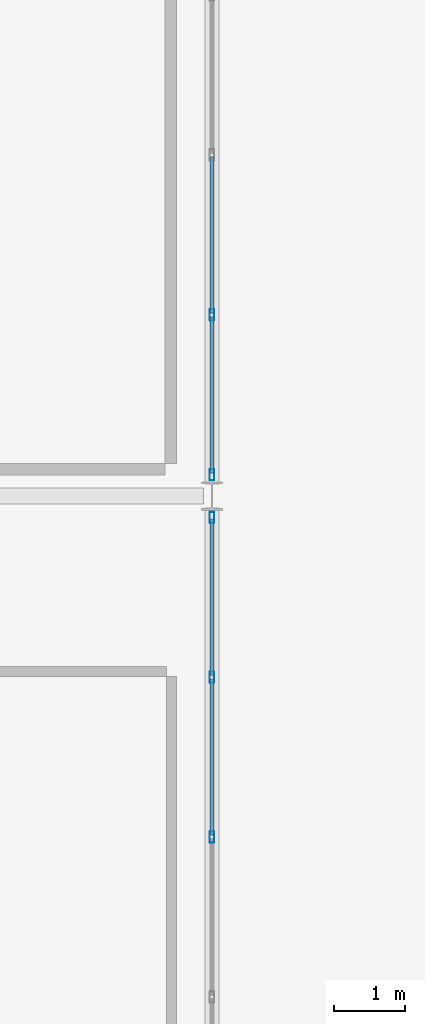
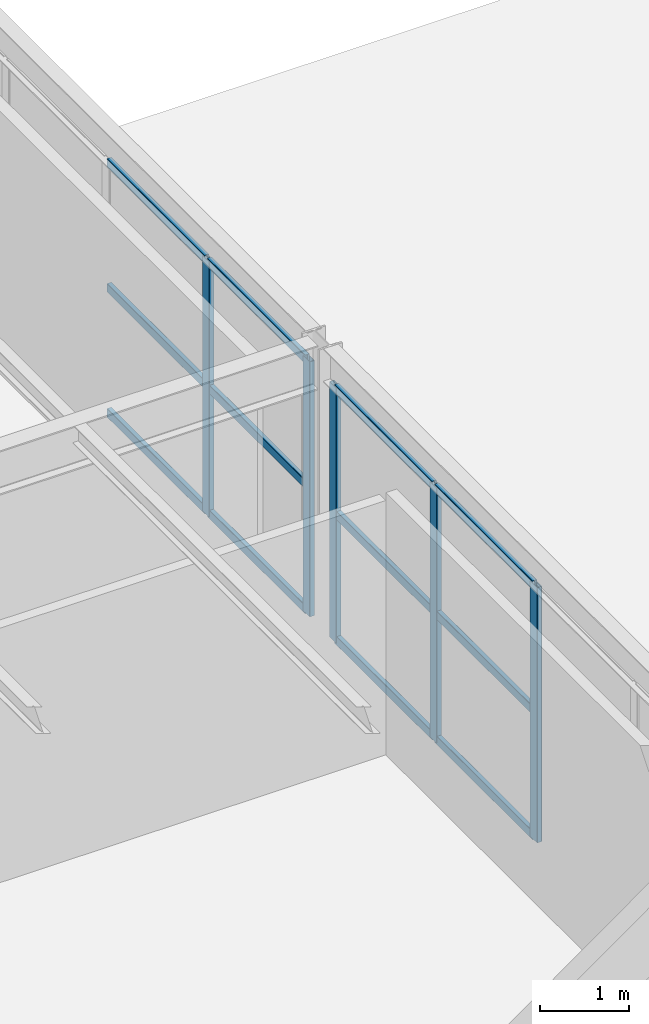
# One storey, part 91 of 126: 17 members, 2 elements without a shape of their own.
"""IFC4 building model written with IfcOpenShell, lengths in metres."""

from ifc_helpers import new_model, si_unit, direction, frame, origin, origin_2d, place, context, subcontext, project, spatial, hollow_rectangle, extrude, material, material_profile, profile_set, type_object, element, aggregate, save


model = new_model("IFC4")

# Units and contexts
model_context = context("Model", 3, precision=1e-05, world=origin(), true_north=direction((0.0, 1.0)))
body_context = subcontext(model_context, "Body", "Model", "MODEL_VIEW")
ifc_project = project(units=[si_unit("LENGTHUNIT", "METRE"), si_unit("AREAUNIT", "SQUARE_METRE"), si_unit("VOLUMEUNIT", "CUBIC_METRE"), si_unit("PLANEANGLEUNIT", "RADIAN"), si_unit("MASSUNIT", "GRAM", prefix="KILO")], contexts=[model_context])

# Site, building, storey
site_placement = place(None, origin())
site = spatial("IfcSite", under=ifc_project, at=site_placement, CompositionType="ELEMENT")
building_placement = place(site_placement, origin())
building = spatial("IfcBuilding", under=site, at=building_placement, Name="Coralgate Yard Interchange", CompositionType="ELEMENT")
storey_placement = place(building_placement, frame((0.0, 0.0, 10.5)))
storey = spatial("IfcBuildingStorey", under=building, at=storey_placement, Name="L02", CompositionType="ELEMENT", Elevation=10.5)

# Curtain wall, members
ifc_material_1 = material(Name="Anodised coastal aluminium and solar-control low-E glass", Category="aluminium")
curtain_wall_type = type_object("IfcCurtainWallType", Name="CW-CW-L02-A", PredefinedType="NOTDEFINED", material=ifc_material_1)
curtain_wall_1_placement = place(storey_placement, origin())
curtain_wall_1 = element("IfcCurtainWall", 1, at=curtain_wall_1_placement, inside=storey, type_object=curtain_wall_type, Name="L02 unitised curtain wall CW-L02-E-09-08", PredefinedType="NOTDEFINED")
ifc_material_2 = material(Name="Anodised coastal aluminium 6063-T6", Category="aluminium")
ifc_material_profile_1 = material_profile(ifc_material_2, hollow_rectangle(XDim=0.06494140625, YDim=0.159912109375, WallThickness=0.00390625, InnerFilletRadius=0.00390625, OuterFilletRadius=0.008056640625, at=origin_2d()), Name="ALU 65x160x4")
ifc_profile_set_1 = profile_set([ifc_material_profile_1], Name="Anodised coastal aluminium 6063-T6")
member_type_1 = type_object("IfcMemberType", Name="MB-MUL-160", PredefinedType="MULLION", material=ifc_profile_set_1)
member_1_placement = place(storey_placement, frame((96.0, 86.10009765625, 0.0), z_axis=(0.0, 0.0, 1.0), x_axis=(1.0, 0.0, 0.0)))
member_1 = element("IfcMember", 2, at=member_1_placement, type_object=member_type_1, Name="CW-L02-E-09-08 vertical mullion 1", PredefinedType="MULLION", context=body_context, shape_type="SweptSolid", body=[
    extrude(hollow_rectangle(XDim=0.06494140625, YDim=0.159912109375, WallThickness=0.00390625, InnerFilletRadius=0.00390625, OuterFilletRadius=0.008056640625, at=origin_2d()), origin(), (0.0, 0.0, 1.0), 3.492919921875),
])
member_2_placement = place(storey_placement, frame((96.0, 83.85009765625, 0.0), z_axis=(0.0, 0.0, 1.0), x_axis=(1.0, 0.0, 0.0)))
member_2 = element("IfcMember", 3, at=member_2_placement, type_object=member_type_1, Name="CW-L02-E-09-08 vertical mullion 2", PredefinedType="MULLION", context=body_context, shape_type="SweptSolid", body=[
    extrude(hollow_rectangle(XDim=0.06494140625, YDim=0.159912109375, WallThickness=0.00390625, InnerFilletRadius=0.00390625, OuterFilletRadius=0.008056640625, at=origin_2d()), origin(), (0.0, 0.0, 1.0), 3.492919921875),
])
member_3_placement = place(storey_placement, frame((96.0, 81.60009765625, 0.0), z_axis=(0.0, 0.0, 1.0), x_axis=(1.0, 0.0, 0.0)))
member_3 = element("IfcMember", 4, at=member_3_placement, type_object=member_type_1, Name="CW-L02-E-09-08 vertical mullion 3", PredefinedType="MULLION", context=body_context, shape_type="SweptSolid", body=[
    extrude(hollow_rectangle(XDim=0.06494140625, YDim=0.159912109375, WallThickness=0.00390625, InnerFilletRadius=0.00390625, OuterFilletRadius=0.008056640625, at=origin_2d()), origin(), (0.0, 0.0, 1.0), 3.492919921875),
])

curtain_wall_2_placement = place(storey_placement, origin())
curtain_wall_2 = element("IfcCurtainWall", 5, at=curtain_wall_2_placement, inside=storey, type_object=curtain_wall_type, Name="L02 unitised curtain wall CW-L02-E-09-09", PredefinedType="NOTDEFINED")
member_4_placement = place(storey_placement, frame((96.0, 88.949951171875, 0.0), z_axis=(0.0, 0.0, 1.0), x_axis=(1.0, 0.0, 0.0)))
member_4 = element("IfcMember", 6, at=member_4_placement, type_object=member_type_1, Name="CW-L02-E-09-09 vertical mullion 4", PredefinedType="MULLION", context=body_context, shape_type="SweptSolid", body=[
    extrude(hollow_rectangle(XDim=0.06494140625, YDim=0.159912109375, WallThickness=0.00390625, InnerFilletRadius=0.00390625, OuterFilletRadius=0.008056640625, at=origin_2d()), origin(), (0.0, 0.0, 1.0), 3.492919921875),
])
member_5_placement = place(storey_placement, frame((96.0, 86.699951171875, 0.0), z_axis=(0.0, 0.0, 1.0), x_axis=(1.0, 0.0, 0.0)))
member_5 = element("IfcMember", 7, at=member_5_placement, type_object=member_type_1, Name="CW-L02-E-09-09 vertical mullion 5", PredefinedType="MULLION", context=body_context, shape_type="SweptSolid", body=[
    extrude(hollow_rectangle(XDim=0.06494140625, YDim=0.159912109375, WallThickness=0.00390625, InnerFilletRadius=0.00390625, OuterFilletRadius=0.008056640625, at=origin_2d()), origin(), (0.0, 0.0, 1.0), 3.492919921875),
])

# Member
ifc_material_profile_2 = material_profile(ifc_material_2, hollow_rectangle(XDim=0.06005859375, YDim=0.1201171875, WallThickness=0.00341796875, InnerFilletRadius=0.00341796875, OuterFilletRadius=0.007080078125, at=origin_2d()), Name="ALU 60x120x3.5")
ifc_profile_set_2 = profile_set([ifc_material_profile_2], Name="Anodised coastal aluminium 6063-T6")
member_type_2 = type_object("IfcMemberType", Name="MB-TRN-120", PredefinedType="USERDEFINED", material=ifc_profile_set_2)
member_6_placement = place(storey_placement, frame((96.0, 86.070068359375, 0.034912109375), z_axis=(0.0, -1.0, 0.0), x_axis=(1.0, 0.0, 0.0)))
member_6 = element("IfcMember", 8, at=member_6_placement, type_object=member_type_2, Name="CW-L02-E-09-08 horizontal transom 1-1", ObjectType="TRANSOM", PredefinedType="USERDEFINED", context=body_context, shape_type="SweptSolid", body=[
    extrude(hollow_rectangle(XDim=0.06005859375, YDim=0.1201171875, WallThickness=0.00341796875, InnerFilletRadius=0.00341796875, OuterFilletRadius=0.007080078125, at=origin_2d()), origin(), (0.0, 0.0, 1.0), 2.190185546875),
])

member_7_placement = place(storey_placement, frame((96.0, 86.070068359375, 1.74658203125), z_axis=(0.0, -1.0, 0.0), x_axis=(1.0, 0.0, 0.0)))
member_7 = element("IfcMember", 9, at=member_7_placement, type_object=member_type_2, Name="CW-L02-E-09-08 horizontal transom 1-2", ObjectType="TRANSOM", PredefinedType="USERDEFINED", context=body_context, shape_type="SweptSolid", body=[
    extrude(hollow_rectangle(XDim=0.06005859375, YDim=0.1201171875, WallThickness=0.00341796875, InnerFilletRadius=0.00341796875, OuterFilletRadius=0.007080078125, at=origin_2d()), origin(), (0.0, 0.0, 1.0), 2.190185546875),
])

member_8_placement = place(storey_placement, frame((96.0, 86.070068359375, 3.4580078125), z_axis=(0.0, -1.0, 0.0), x_axis=(1.0, 0.0, 0.0)))
member_8 = element("IfcMember", 10, at=member_8_placement, type_object=member_type_2, Name="CW-L02-E-09-08 horizontal transom 1-3", ObjectType="TRANSOM", PredefinedType="USERDEFINED", context=body_context, shape_type="SweptSolid", body=[
    extrude(hollow_rectangle(XDim=0.06005859375, YDim=0.1201171875, WallThickness=0.00341796875, InnerFilletRadius=0.00341796875, OuterFilletRadius=0.007080078125, at=origin_2d()), origin(), (0.0, 0.0, 1.0), 2.190185546875),
])

member_9_placement = place(storey_placement, frame((96.0, 83.820068359375, 0.034912109375), z_axis=(0.0, -1.0, 0.0), x_axis=(1.0, 0.0, 0.0)))
member_9 = element("IfcMember", 11, at=member_9_placement, type_object=member_type_2, Name="CW-L02-E-09-08 horizontal transom 2-1", ObjectType="TRANSOM", PredefinedType="USERDEFINED", context=body_context, shape_type="SweptSolid", body=[
    extrude(hollow_rectangle(XDim=0.06005859375, YDim=0.1201171875, WallThickness=0.00341796875, InnerFilletRadius=0.00341796875, OuterFilletRadius=0.007080078125, at=origin_2d()), origin(), (0.0, 0.0, 1.0), 2.190185546875),
])

member_10_placement = place(storey_placement, frame((96.0, 83.820068359375, 1.74658203125), z_axis=(0.0, -1.0, 0.0), x_axis=(1.0, 0.0, 0.0)))
member_10 = element("IfcMember", 12, at=member_10_placement, type_object=member_type_2, Name="CW-L02-E-09-08 horizontal transom 2-2", ObjectType="TRANSOM", PredefinedType="USERDEFINED", context=body_context, shape_type="SweptSolid", body=[
    extrude(hollow_rectangle(XDim=0.06005859375, YDim=0.1201171875, WallThickness=0.00341796875, InnerFilletRadius=0.00341796875, OuterFilletRadius=0.007080078125, at=origin_2d()), origin(), (0.0, 0.0, 1.0), 2.190185546875),
])

member_11_placement = place(storey_placement, frame((96.0, 83.820068359375, 3.4580078125), z_axis=(0.0, -1.0, 0.0), x_axis=(1.0, 0.0, 0.0)))
member_11 = element("IfcMember", 13, at=member_11_placement, type_object=member_type_2, Name="CW-L02-E-09-08 horizontal transom 2-3", ObjectType="TRANSOM", PredefinedType="USERDEFINED", context=body_context, shape_type="SweptSolid", body=[
    extrude(hollow_rectangle(XDim=0.06005859375, YDim=0.1201171875, WallThickness=0.00341796875, InnerFilletRadius=0.00341796875, OuterFilletRadius=0.007080078125, at=origin_2d()), origin(), (0.0, 0.0, 1.0), 2.190185546875),
])

aggregate(curtain_wall_1, [member_1, member_2, member_3, member_6, member_7, member_8, member_9, member_10, member_11])

member_12_placement = place(storey_placement, frame((96.0, 91.169921875, 0.034912109375), z_axis=(0.0, -1.0, 0.0), x_axis=(1.0, 0.0, 0.0)))
member_12 = element("IfcMember", 14, at=member_12_placement, type_object=member_type_2, Name="CW-L02-E-09-09 horizontal transom 3-1", ObjectType="TRANSOM", PredefinedType="USERDEFINED", context=body_context, shape_type="SweptSolid", body=[
    extrude(hollow_rectangle(XDim=0.06005859375, YDim=0.1201171875, WallThickness=0.00341796875, InnerFilletRadius=0.00341796875, OuterFilletRadius=0.007080078125, at=origin_2d()), origin(), (0.0, 0.0, 1.0), 2.18994140625),
])

member_13_placement = place(storey_placement, frame((96.0, 91.169921875, 1.74658203125), z_axis=(0.0, -1.0, 0.0), x_axis=(1.0, 0.0, 0.0)))
member_13 = element("IfcMember", 15, at=member_13_placement, type_object=member_type_2, Name="CW-L02-E-09-09 horizontal transom 3-2", ObjectType="TRANSOM", PredefinedType="USERDEFINED", context=body_context, shape_type="SweptSolid", body=[
    extrude(hollow_rectangle(XDim=0.06005859375, YDim=0.1201171875, WallThickness=0.00341796875, InnerFilletRadius=0.00341796875, OuterFilletRadius=0.007080078125, at=origin_2d()), origin(), (0.0, 0.0, 1.0), 2.18994140625),
])

member_14_placement = place(storey_placement, frame((96.0, 91.169921875, 3.4580078125), z_axis=(0.0, -1.0, 0.0), x_axis=(1.0, 0.0, 0.0)))
member_14 = element("IfcMember", 16, at=member_14_placement, type_object=member_type_2, Name="CW-L02-E-09-09 horizontal transom 3-3", ObjectType="TRANSOM", PredefinedType="USERDEFINED", context=body_context, shape_type="SweptSolid", body=[
    extrude(hollow_rectangle(XDim=0.06005859375, YDim=0.1201171875, WallThickness=0.00341796875, InnerFilletRadius=0.00341796875, OuterFilletRadius=0.007080078125, at=origin_2d()), origin(), (0.0, 0.0, 1.0), 2.18994140625),
])

member_15_placement = place(storey_placement, frame((96.0, 88.919921875, 0.034912109375), z_axis=(0.0, -1.0, 0.0), x_axis=(1.0, 0.0, 0.0)))
member_15 = element("IfcMember", 17, at=member_15_placement, type_object=member_type_2, Name="CW-L02-E-09-09 horizontal transom 4-1", ObjectType="TRANSOM", PredefinedType="USERDEFINED", context=body_context, shape_type="SweptSolid", body=[
    extrude(hollow_rectangle(XDim=0.06005859375, YDim=0.1201171875, WallThickness=0.00341796875, InnerFilletRadius=0.00341796875, OuterFilletRadius=0.007080078125, at=origin_2d()), origin(), (0.0, 0.0, 1.0), 2.18994140625),
])

member_16_placement = place(storey_placement, frame((96.0, 88.919921875, 1.74658203125), z_axis=(0.0, -1.0, 0.0), x_axis=(1.0, 0.0, 0.0)))
member_16 = element("IfcMember", 18, at=member_16_placement, type_object=member_type_2, Name="CW-L02-E-09-09 horizontal transom 4-2", ObjectType="TRANSOM", PredefinedType="USERDEFINED", context=body_context, shape_type="SweptSolid", body=[
    extrude(hollow_rectangle(XDim=0.06005859375, YDim=0.1201171875, WallThickness=0.00341796875, InnerFilletRadius=0.00341796875, OuterFilletRadius=0.007080078125, at=origin_2d()), origin(), (0.0, 0.0, 1.0), 2.18994140625),
])

member_17_placement = place(storey_placement, frame((96.0, 88.919921875, 3.4580078125), z_axis=(0.0, -1.0, 0.0), x_axis=(1.0, 0.0, 0.0)))
member_17 = element("IfcMember", 19, at=member_17_placement, type_object=member_type_2, Name="CW-L02-E-09-09 horizontal transom 4-3", ObjectType="TRANSOM", PredefinedType="USERDEFINED", context=body_context, shape_type="SweptSolid", body=[
    extrude(hollow_rectangle(XDim=0.06005859375, YDim=0.1201171875, WallThickness=0.00341796875, InnerFilletRadius=0.00341796875, OuterFilletRadius=0.007080078125, at=origin_2d()), origin(), (0.0, 0.0, 1.0), 2.18994140625),
])

aggregate(curtain_wall_2, [member_4, member_5, member_12, member_13, member_14, member_15, member_16, member_17])

save(model, "model.ifc")
